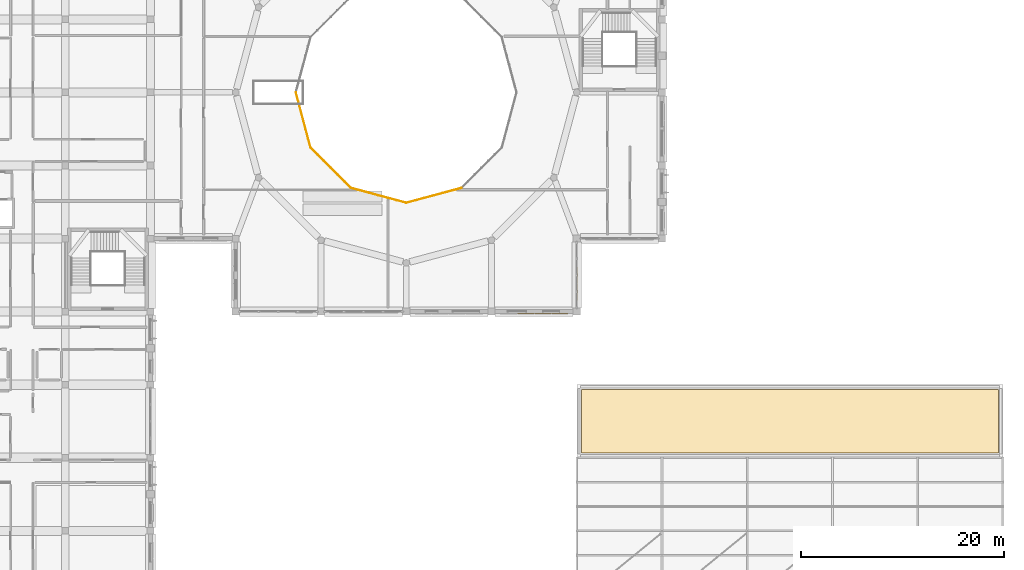
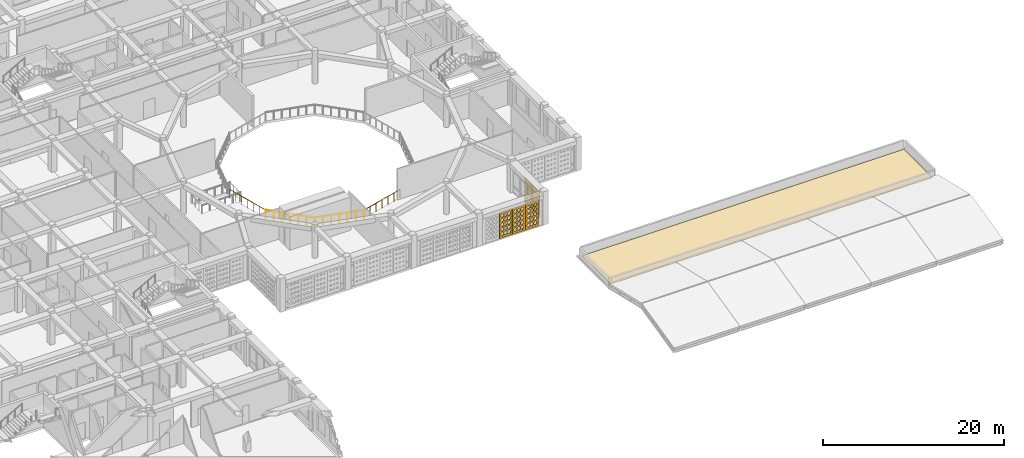
# One storey, part 65 of 79: 6 coverings, 4 railings.
"""IFC4 building model written with IfcOpenShell, lengths in metres."""

from ifc_helpers import new_model, si_unit, derived_unit, direction, frame, origin, origin_2d, place, context, subcontext, project, spatial, polyline, circle, outline, extrude, material, layer, layer_set, type_object, element, save


model = new_model("IFC4")

# Units and contexts
model_context = context("Model", 3, precision=1e-05, world=origin(), true_north=direction((0.0, 1.0)))
body_context = subcontext(model_context, "Body", "Model", "MODEL_VIEW")
ifc_project = project(units=[si_unit("LENGTHUNIT", "METRE"), si_unit("AREAUNIT", "SQUARE_METRE"), si_unit("VOLUMEUNIT", "CUBIC_METRE"), si_unit("PLANEANGLEUNIT", "RADIAN"), si_unit("MASSUNIT", "GRAM", prefix="KILO"), derived_unit("THERMALTRANSMITTANCEUNIT", [(si_unit("POWERUNIT", "WATT"), 1), (si_unit("LENGTHUNIT", "METRE"), -2), (si_unit("THERMODYNAMICTEMPERATUREUNIT", "KELVIN"), -1)])], contexts=[model_context])

# Site, building, storey
site_placement = place(None, origin())
site = spatial("IfcSite", under=ifc_project, at=site_placement, CompositionType="ELEMENT")
building_placement = place(site_placement, origin())
building = spatial("IfcBuilding", under=site, at=building_placement, Name="Veybourne Emporium", CompositionType="ELEMENT")
storey_placement = place(building_placement, frame((0.0, 0.0, 18.89990234375)))
storey = spatial("IfcBuildingStorey", under=building, at=storey_placement, Name="L04", CompositionType="ELEMENT", Elevation=18.89990234375)

# Railings
ifc_material_1 = material(Name="Patinated Architectural Bronze", Category="bronze")
railing_type = type_object("IfcRailingType", Name="Balustrade_BL-01", PredefinedType="BALUSTRADE", material=ifc_material_1)
railing_1_placement = place(storey_placement, frame((64.719970703125, 50.39990234375, 0.0)))
element("IfcRailing", 1, at=railing_1_placement, inside=storey, type_object=railing_type, Name="L04 central atrium void balustrade 07", PredefinedType="BALUSTRADE", context=body_context, shape_type="SweptSolid", body=[
    extrude(circle(Radius=0.02392578125, at=origin_2d()), frame((0.0, 0.0, 1.1259765625), z_axis=(0.258841536762, -0.965919799386, 0.0), x_axis=(0.965919799386, 0.258841536762, 0.0)), (0.0, 0.0, 1.0), 5.6318359375),
    extrude(circle(Radius=0.02099609375, at=origin_2d()), origin(), (0.0, 0.0, 1.0), 1.101806640625),
    extrude(circle(Radius=0.02099609375, at=origin_2d()), frame((0.242919921875, -0.90673828125, 0.0)), (0.0, 0.0, 1.0), 1.101806640625),
    extrude(circle(Radius=0.02099609375, at=origin_2d()), frame((0.48583984375, -1.813232421875, 0.0)), (0.0, 0.0, 1.0), 1.101806640625),
    extrude(circle(Radius=0.02099609375, at=origin_2d()), frame((0.72900390625, -2.719970703125, 0.0)), (0.0, 0.0, 1.0), 1.101806640625),
    extrude(circle(Radius=0.02099609375, at=origin_2d()), frame((0.971923828125, -3.626708984375, 0.0)), (0.0, 0.0, 1.0), 1.101806640625),
    extrude(circle(Radius=0.02099609375, at=origin_2d()), frame((1.21484375, -4.533203125, 0.0)), (0.0, 0.0, 1.0), 1.101806640625),
    extrude(circle(Radius=0.02099609375, at=origin_2d()), frame((1.457763671875, -5.43994140625, 0.0)), (0.0, 0.0, 1.0), 1.101806640625),
])
railing_2_placement = place(storey_placement, frame((66.177734375, 44.9599609375, 0.0)))
element("IfcRailing", 2, at=railing_2_placement, inside=storey, type_object=railing_type, Name="L04 central atrium void balustrade 08", PredefinedType="BALUSTRADE", context=body_context, shape_type="SweptSolid", body=[
    extrude(circle(Radius=0.02392578125, at=origin_2d()), frame((0.0, 0.0, 1.1259765625), z_axis=(0.707085105755, -0.707128455954, 0.0), x_axis=(0.707128455954, 0.707085105755, 0.0)), (0.0, 0.0, 1.0), 5.6318359375),
    extrude(circle(Radius=0.02099609375, at=origin_2d()), origin(), (0.0, 0.0, 1.0), 1.101806640625),
    extrude(circle(Radius=0.02099609375, at=origin_2d()), frame((0.66357421875, -0.663818359375, 0.0)), (0.0, 0.0, 1.0), 1.101806640625),
    extrude(circle(Radius=0.02099609375, at=origin_2d()), frame((1.327392578125, -1.327392578125, 0.0)), (0.0, 0.0, 1.0), 1.101806640625),
    extrude(circle(Radius=0.02099609375, at=origin_2d()), frame((1.9912109375, -1.9912109375, 0.0)), (0.0, 0.0, 1.0), 1.101806640625),
    extrude(circle(Radius=0.02099609375, at=origin_2d()), frame((2.65478515625, -2.655029296875, 0.0)), (0.0, 0.0, 1.0), 1.101806640625),
    extrude(circle(Radius=0.02099609375, at=origin_2d()), frame((3.318359375, -3.318603515625, 0.0)), (0.0, 0.0, 1.0), 1.101806640625),
    extrude(circle(Radius=0.02099609375, at=origin_2d()), frame((3.982177734375, -3.982421875, 0.0)), (0.0, 0.0, 1.0), 1.101806640625),
])
railing_3_placement = place(storey_placement, frame((70.159912109375, 40.9775390625, 0.0)))
element("IfcRailing", 3, at=railing_3_placement, inside=storey, type_object=railing_type, Name="L04 central atrium void balustrade 09", PredefinedType="BALUSTRADE", context=body_context, shape_type="SweptSolid", body=[
    extrude(circle(Radius=0.02392578125, at=origin_2d()), frame((0.0, 0.0, 1.1259765625), z_axis=(0.965933540312, -0.25879025426, 0.0), x_axis=(0.25879025426, 0.965933540312, 0.0)), (0.0, 0.0, 1.0), 5.632080078125),
    extrude(circle(Radius=0.02099609375, at=origin_2d()), origin(), (0.0, 0.0, 1.0), 1.101806640625),
    extrude(circle(Radius=0.02099609375, at=origin_2d()), frame((0.90673828125, -0.242919921875, 0.0)), (0.0, 0.0, 1.0), 1.101806640625),
    extrude(circle(Radius=0.02099609375, at=origin_2d()), frame((1.8134765625, -0.48583984375, 0.0)), (0.0, 0.0, 1.0), 1.101806640625),
    extrude(circle(Radius=0.02099609375, at=origin_2d()), frame((2.72021484375, -0.728759765625, 0.0)), (0.0, 0.0, 1.0), 1.101806640625),
    extrude(circle(Radius=0.02099609375, at=origin_2d()), frame((3.626708984375, -0.9716796875, 0.0)), (0.0, 0.0, 1.0), 1.101806640625),
    extrude(circle(Radius=0.02099609375, at=origin_2d()), frame((4.533447265625, -1.214599609375, 0.0)), (0.0, 0.0, 1.0), 1.101806640625),
    extrude(circle(Radius=0.02099609375, at=origin_2d()), frame((5.440185546875, -1.45751953125, 0.0)), (0.0, 0.0, 1.0), 1.101806640625),
])
railing_4_placement = place(storey_placement, frame((75.60009765625, 39.52001953125, 0.0)))
element("IfcRailing", 4, at=railing_4_placement, inside=storey, type_object=railing_type, Name="L04 central atrium void balustrade 10", PredefinedType="BALUSTRADE", context=body_context, shape_type="SweptSolid", body=[
    extrude(circle(Radius=0.02392578125, at=origin_2d()), frame((0.0, 0.0, 1.1259765625), z_axis=(0.96593063698, 0.258801090691, 0.0), x_axis=(-0.258801090691, 0.96593063698, 0.0)), (0.0, 0.0, 1.0), 5.6318359375),
    extrude(circle(Radius=0.02099609375, at=origin_2d()), origin(), (0.0, 0.0, 1.0), 1.101806640625),
    extrude(circle(Radius=0.02099609375, at=origin_2d()), frame((0.90673828125, 0.242919921875, 0.0)), (0.0, 0.0, 1.0), 1.101806640625),
    extrude(circle(Radius=0.02099609375, at=origin_2d()), frame((1.813232421875, 0.48583984375, 0.0)), (0.0, 0.0, 1.0), 1.101806640625),
    extrude(circle(Radius=0.02099609375, at=origin_2d()), frame((2.719970703125, 0.728759765625, 0.0)), (0.0, 0.0, 1.0), 1.101806640625),
    extrude(circle(Radius=0.02099609375, at=origin_2d()), frame((3.626708984375, 0.9716796875, 0.0)), (0.0, 0.0, 1.0), 1.101806640625),
    extrude(circle(Radius=0.02099609375, at=origin_2d()), frame((4.533203125, 1.214599609375, 0.0)), (0.0, 0.0, 1.0), 1.101806640625),
    extrude(circle(Radius=0.02099609375, at=origin_2d()), frame((5.43994140625, 1.45751953125, 0.0)), (0.0, 0.0, 1.0), 1.101806640625),
])

# Coverings
ifc_material_2 = material(Name="Single-Ply Warm Roof Membrane", Category="membrane")
ifc_layer_1 = layer(ifc_material_2, 0.06005859375)
ifc_layer_set_1 = layer_set([ifc_layer_1], Name="Single-Ply Warm Roof Membrane")
covering_type_1 = type_object("IfcCoveringType", Name="Roofing_RFG-01", PredefinedType="ROOFING", material=ifc_layer_set_1)
covering_1_placement = place(storey_placement, origin())
element("IfcCovering", 5, at=covering_1_placement, inside=storey, type_object=covering_type_1, Name="L04 warm-roof waterproofing membrane 1.1", PredefinedType="ROOFING", context=body_context, shape_type="SweptSolid", body=[
    extrude(outline(polyline([(133.949951171875, 21.14990234375), (133.949951171875, 14.85009765625), (92.85009765625, 14.85009765625), (92.85009765625, 21.14990234375), (133.949951171875, 21.14990234375)])), origin(), (0.0, 0.0, 1.0), 0.06005859375),
])
ifc_material_3 = material(Name="Warm-White Perforated Aluminium Screen Alloy", Category="aluminium")
ifc_layer_2 = layer(ifc_material_3, 0.06005859375)
ifc_layer_set_2 = layer_set([ifc_layer_2], Name="Warm-White Perforated Aluminium Screen Alloy")
covering_type_2 = type_object("IfcCoveringType", Name="WaveScreen_SCR-01", PredefinedType="CLADDING", material=ifc_layer_set_2)
covering_2_placement = place(storey_placement, frame((87.360107421875, 28.552001953125, 1.815185546875), z_axis=(0.0, 1.0, 0.0), x_axis=(-1.0, 0.0, 0.0)))
element("IfcCovering", 6, at=covering_2_placement, inside=storey, type_object=covering_type_2, Name="L04 wave-perforated aluminium screen SCR-01 (41.3)", PredefinedType="CLADDING", context=body_context, shape_type="SweptSolid", body=[
    extrude(outline(polyline([(-0.81982421875, -1.7548828125), (0.81982421875, -1.7548828125), (0.81982421875, 1.7548828125), (-0.81982421875, 1.7548828125), (-0.81982421875, -1.7548828125)]), holes=[polyline([(-0.433349609375, -0.964111328125), (-0.2470703125, -1.133056640625), (-0.2470703125, -1.322998046875), (-0.433349609375, -1.491943359375), (-0.61962890625, -1.322998046875), (-0.61962890625, -1.133056640625), (-0.433349609375, -0.964111328125)]), polyline([(-0.433349609375, -0.35009765625), (-0.2470703125, -0.51904296875), (-0.2470703125, -0.708984375), (-0.433349609375, -0.8779296875), (-0.61962890625, -0.708984375), (-0.61962890625, -0.51904296875), (-0.433349609375, -0.35009765625)]), polyline([(-0.433349609375, 0.263916015625), (-0.2470703125, 0.094970703125), (-0.2470703125, -0.094970703125), (-0.433349609375, -0.263916015625), (-0.61962890625, -0.094970703125), (-0.61962890625, 0.094970703125), (-0.433349609375, 0.263916015625)]), polyline([(-0.433349609375, 0.8779296875), (-0.2470703125, 0.708984375), (-0.2470703125, 0.51904296875), (-0.433349609375, 0.35009765625), (-0.61962890625, 0.51904296875), (-0.61962890625, 0.708984375), (-0.433349609375, 0.8779296875)]), polyline([(-0.433349609375, 1.491943359375), (-0.2470703125, 1.322998046875), (-0.2470703125, 1.133056640625), (-0.433349609375, 0.964111328125), (-0.61962890625, 1.133056640625), (-0.61962890625, 1.322998046875), (-0.433349609375, 1.491943359375)]), polyline([(0.0, -0.964111328125), (0.186279296875, -1.133056640625), (0.186279296875, -1.322998046875), (0.0, -1.491943359375), (-0.186279296875, -1.322998046875), (-0.186279296875, -1.133056640625), (0.0, -0.964111328125)]), polyline([(0.0, -0.35009765625), (0.186279296875, -0.51904296875), (0.186279296875, -0.708984375), (0.0, -0.8779296875), (-0.186279296875, -0.708984375), (-0.186279296875, -0.51904296875), (0.0, -0.35009765625)]), polyline([(0.0, 0.263916015625), (0.186279296875, 0.094970703125), (0.186279296875, -0.094970703125), (0.0, -0.263916015625), (-0.186279296875, -0.094970703125), (-0.186279296875, 0.094970703125), (0.0, 0.263916015625)]), polyline([(0.0, 0.8779296875), (0.186279296875, 0.708984375), (0.186279296875, 0.51904296875), (0.0, 0.35009765625), (-0.186279296875, 0.51904296875), (-0.186279296875, 0.708984375), (0.0, 0.8779296875)]), polyline([(0.0, 1.491943359375), (0.186279296875, 1.322998046875), (0.186279296875, 1.133056640625), (0.0, 0.964111328125), (-0.186279296875, 1.133056640625), (-0.186279296875, 1.322998046875), (0.0, 1.491943359375)]), polyline([(0.433349609375, -0.964111328125), (0.61962890625, -1.133056640625), (0.61962890625, -1.322998046875), (0.433349609375, -1.491943359375), (0.2470703125, -1.322998046875), (0.2470703125, -1.133056640625), (0.433349609375, -0.964111328125)]), polyline([(0.433349609375, -0.35009765625), (0.61962890625, -0.51904296875), (0.61962890625, -0.708984375), (0.433349609375, -0.8779296875), (0.2470703125, -0.708984375), (0.2470703125, -0.51904296875), (0.433349609375, -0.35009765625)]), polyline([(0.433349609375, 0.263916015625), (0.61962890625, 0.094970703125), (0.61962890625, -0.094970703125), (0.433349609375, -0.263916015625), (0.2470703125, -0.094970703125), (0.2470703125, 0.094970703125), (0.433349609375, 0.263916015625)]), polyline([(0.433349609375, 0.8779296875), (0.61962890625, 0.708984375), (0.61962890625, 0.51904296875), (0.433349609375, 0.35009765625), (0.2470703125, 0.51904296875), (0.2470703125, 0.708984375), (0.433349609375, 0.8779296875)]), polyline([(0.433349609375, 1.491943359375), (0.61962890625, 1.322998046875), (0.61962890625, 1.133056640625), (0.433349609375, 0.964111328125), (0.2470703125, 1.133056640625), (0.2470703125, 1.322998046875), (0.433349609375, 1.491943359375)])]), origin(), (0.0, 0.0, 1.0), 0.06005859375),
])
covering_3_placement = place(storey_placement, frame((92.494140625, 32.39990234375, 1.815185546875), z_axis=(-1.0, 0.0, 0.0), x_axis=(0.0, -1.0, 0.0)))
element("IfcCovering", 7, at=covering_3_placement, inside=storey, type_object=covering_type_2, Name="L04 wave-perforated aluminium screen SCR-01 (42C.2)", PredefinedType="CLADDING", context=body_context, shape_type="SweptSolid", body=[
    extrude(outline(polyline([(-0.81982421875, -1.7548828125), (0.81982421875, -1.7548828125), (0.81982421875, 1.7548828125), (-0.81982421875, 1.7548828125), (-0.81982421875, -1.7548828125)]), holes=[polyline([(-0.433349609375, -1.013916015625), (-0.248291015625, -1.15087890625), (-0.248291015625, -1.30517578125), (-0.433349609375, -1.442138671875), (-0.618408203125, -1.30517578125), (-0.618408203125, -1.15087890625), (-0.433349609375, -1.013916015625)]), polyline([(-0.433349609375, -0.413818359375), (-0.259521484375, -0.5419921875), (-0.259521484375, -0.68603515625), (-0.433349609375, -0.814208984375), (-0.607177734375, -0.68603515625), (-0.607177734375, -0.5419921875), (-0.433349609375, -0.413818359375)]), polyline([(-0.433349609375, 0.18603515625), (-0.271240234375, 0.06689453125), (-0.271240234375, -0.06689453125), (-0.433349609375, -0.18603515625), (-0.595458984375, -0.06689453125), (-0.595458984375, 0.06689453125), (-0.433349609375, 0.18603515625)]), polyline([(-0.433349609375, 0.785888671875), (-0.28271484375, 0.67578125), (-0.28271484375, 0.552001953125), (-0.433349609375, 0.44189453125), (-0.583984375, 0.552001953125), (-0.583984375, 0.67578125), (-0.433349609375, 0.785888671875)]), polyline([(-0.433349609375, 1.38671875), (-0.293701171875, 1.28515625), (-0.293701171875, 1.1708984375), (-0.433349609375, 1.0693359375), (-0.572998046875, 1.1708984375), (-0.572998046875, 1.28515625), (-0.433349609375, 1.38671875)]), polyline([(0.0, -1.0078125), (0.186279296875, -1.148681640625), (0.186279296875, -1.307373046875), (0.0, -1.4482421875), (-0.186279296875, -1.307373046875), (-0.186279296875, -1.148681640625), (0.0, -1.0078125)]), polyline([(0.0, -0.407470703125), (0.178955078125, -0.539794921875), (0.178955078125, -0.688232421875), (0.0, -0.820556640625), (-0.178955078125, -0.688232421875), (-0.178955078125, -0.539794921875), (0.0, -0.407470703125)]), polyline([(0.0, 0.1923828125), (0.16748046875, 0.0693359375), (0.16748046875, -0.0693359375), (0.0, -0.1923828125), (-0.16748046875, -0.0693359375), (-0.16748046875, 0.0693359375), (0.0, 0.1923828125)]), polyline([(0.0, 0.792236328125), (0.156005859375, 0.67822265625), (0.156005859375, 0.5498046875), (0.0, 0.435791015625), (-0.156005859375, 0.5498046875), (-0.156005859375, 0.67822265625), (0.0, 0.792236328125)]), polyline([(0.0, 1.392578125), (0.144775390625, 1.287109375), (0.144775390625, 1.168701171875), (0.0, 1.0634765625), (-0.144775390625, 1.168701171875), (-0.144775390625, 1.287109375), (0.0, 1.392578125)]), polyline([(0.433349609375, -1.001708984375), (0.61962890625, -1.146484375), (0.61962890625, -1.309326171875), (0.433349609375, -1.4541015625), (0.2470703125, -1.309326171875), (0.2470703125, -1.146484375), (0.433349609375, -1.001708984375)]), polyline([(0.433349609375, -0.401123046875), (0.617431640625, -0.537353515625), (0.617431640625, -0.690673828125), (0.433349609375, -0.826904296875), (0.249267578125, -0.690673828125), (0.249267578125, -0.537353515625), (0.433349609375, -0.401123046875)]), polyline([(0.433349609375, 0.19873046875), (0.60595703125, 0.071533203125), (0.60595703125, -0.071533203125), (0.433349609375, -0.19873046875), (0.2607421875, -0.071533203125), (0.2607421875, 0.071533203125), (0.433349609375, 0.19873046875)]), polyline([(0.433349609375, 0.798583984375), (0.594482421875, 0.680419921875), (0.594482421875, 0.547607421875), (0.433349609375, 0.429443359375), (0.272216796875, 0.547607421875), (0.272216796875, 0.680419921875), (0.433349609375, 0.798583984375)]), polyline([(0.433349609375, 1.398681640625), (0.5830078125, 1.28955078125), (0.5830078125, 1.16650390625), (0.433349609375, 1.057373046875), (0.28369140625, 1.16650390625), (0.28369140625, 1.28955078125), (0.433349609375, 1.398681640625)])]), origin(), (0.0, 0.0, 1.0), 0.06005859375),
])
ifc_layer_3 = layer(ifc_material_3, 0.06005859375)
ifc_layer_set_3 = layer_set([ifc_layer_3], Name="Warm-White Perforated Aluminium Screen Alloy")
covering_type_3 = type_object("IfcCoveringType", Name="WaveScreen_SCR-02", PredefinedType="CLADDING", material=ifc_layer_set_3)
covering_4_placement = place(storey_placement, frame((92.494140625, 30.719970703125, 1.815185546875), z_axis=(-1.0, 0.0, 0.0), x_axis=(0.0, -1.0, 0.0)))
element("IfcCovering", 8, at=covering_4_placement, inside=storey, type_object=covering_type_3, Name="L04 wave-perforated aluminium screen SCR-02 (42C.3)", PredefinedType="CLADDING", context=body_context, shape_type="SweptSolid", body=[
    extrude(outline(polyline([(-0.81982421875, -1.7548828125), (0.81982421875, -1.7548828125), (0.81982421875, 1.7548828125), (-0.81982421875, 1.7548828125), (-0.81982421875, -1.7548828125)]), holes=[polyline([(-0.433349609375, -0.9912109375), (-0.2470703125, -1.142822265625), (-0.2470703125, -1.313232421875), (-0.433349609375, -1.46484375), (-0.61962890625, -1.313232421875), (-0.61962890625, -1.142822265625), (-0.433349609375, -0.9912109375)]), polyline([(-0.433349609375, -0.389892578125), (-0.2470703125, -0.533203125), (-0.2470703125, -0.694580078125), (-0.433349609375, -0.838134765625), (-0.61962890625, -0.694580078125), (-0.61962890625, -0.533203125), (-0.433349609375, -0.389892578125)]), polyline([(-0.433349609375, 0.210693359375), (-0.2509765625, 0.075927734375), (-0.2509765625, -0.075927734375), (-0.433349609375, -0.210693359375), (-0.61572265625, -0.075927734375), (-0.61572265625, 0.075927734375), (-0.433349609375, 0.210693359375)]), polyline([(-0.433349609375, 0.810791015625), (-0.262451171875, 0.684814453125), (-0.262451171875, 0.543212890625), (-0.433349609375, 0.417236328125), (-0.604248046875, 0.543212890625), (-0.604248046875, 0.684814453125), (-0.433349609375, 0.810791015625)]), polyline([(-0.433349609375, 1.41064453125), (-0.27392578125, 1.293701171875), (-0.27392578125, 1.162353515625), (-0.433349609375, 1.04541015625), (-0.5927734375, 1.162353515625), (-0.5927734375, 1.293701171875), (-0.433349609375, 1.41064453125)]), polyline([(0.0, -0.98583984375), (0.186279296875, -1.140869140625), (0.186279296875, -1.315185546875), (0.0, -1.47021484375), (-0.186279296875, -1.315185546875), (-0.186279296875, -1.140869140625), (0.0, -0.98583984375)]), polyline([(0.0, -0.3837890625), (0.186279296875, -0.53125), (0.186279296875, -0.69677734375), (0.0, -0.843994140625), (-0.186279296875, -0.69677734375), (-0.186279296875, -0.53125), (0.0, -0.3837890625)]), polyline([(0.0, 0.217041015625), (0.186279296875, 0.078125), (0.186279296875, -0.078125), (0.0, -0.217041015625), (-0.186279296875, -0.078125), (-0.186279296875, 0.078125), (0.0, 0.217041015625)]), polyline([(0.0, 0.817138671875), (0.17626953125, 0.68701171875), (0.17626953125, 0.541015625), (0.0, 0.410888671875), (-0.17626953125, 0.541015625), (-0.17626953125, 0.68701171875), (0.0, 0.817138671875)]), polyline([(0.0, 1.4169921875), (0.16455078125, 1.2958984375), (0.16455078125, 1.159912109375), (0.0, 1.0390625), (-0.16455078125, 1.159912109375), (-0.16455078125, 1.2958984375), (0.0, 1.4169921875)]), polyline([(0.433349609375, -0.98095703125), (0.61962890625, -1.13916015625), (0.61962890625, -1.31689453125), (0.433349609375, -1.47509765625), (0.2470703125, -1.31689453125), (0.2470703125, -1.13916015625), (0.433349609375, -0.98095703125)]), polyline([(0.433349609375, -0.37841796875), (0.61962890625, -0.529296875), (0.61962890625, -0.69873046875), (0.433349609375, -0.849609375), (0.2470703125, -0.69873046875), (0.2470703125, -0.529296875), (0.433349609375, -0.37841796875)]), polyline([(0.433349609375, 0.222900390625), (0.61962890625, 0.080322265625), (0.61962890625, -0.080322265625), (0.433349609375, -0.222900390625), (0.2470703125, -0.080322265625), (0.2470703125, 0.080322265625), (0.433349609375, 0.222900390625)]), polyline([(0.433349609375, 0.823486328125), (0.61474609375, 0.689453125), (0.61474609375, 0.53857421875), (0.433349609375, 0.404541015625), (0.251953125, 0.53857421875), (0.251953125, 0.689453125), (0.433349609375, 0.823486328125)]), polyline([(0.433349609375, 1.42333984375), (0.603271484375, 1.29833984375), (0.603271484375, 1.15771484375), (0.433349609375, 1.03271484375), (0.263427734375, 1.15771484375), (0.263427734375, 1.29833984375), (0.433349609375, 1.42333984375)])]), origin(), (0.0, 0.0, 1.0), 0.06005859375),
])
ifc_layer_4 = layer(ifc_material_3, 0.06005859375)
ifc_layer_set_4 = layer_set([ifc_layer_4], Name="Warm-White Perforated Aluminium Screen Alloy")
covering_type_4 = type_object("IfcCoveringType", Name="WaveScreen_SCR-03", PredefinedType="CLADDING", material=ifc_layer_set_4)
covering_5_placement = place(storey_placement, frame((90.719970703125, 28.552001953125, 1.815185546875), z_axis=(0.0, 1.0, 0.0), x_axis=(-1.0, 0.0, 0.0)))
element("IfcCovering", 9, at=covering_5_placement, inside=storey, type_object=covering_type_4, Name="L04 wave-perforated aluminium screen SCR-03 (41.1)", PredefinedType="CLADDING", context=body_context, shape_type="SweptSolid", body=[
    extrude(outline(polyline([(-0.81982421875, -1.7548828125), (0.81982421875, -1.7548828125), (0.81982421875, 1.7548828125), (-0.81982421875, 1.7548828125), (-0.81982421875, -1.7548828125)]), holes=[polyline([(-0.433349609375, -0.964111328125), (-0.2470703125, -1.133056640625), (-0.2470703125, -1.322998046875), (-0.433349609375, -1.491943359375), (-0.61962890625, -1.322998046875), (-0.61962890625, -1.133056640625), (-0.433349609375, -0.964111328125)]), polyline([(-0.433349609375, -0.35009765625), (-0.2470703125, -0.51904296875), (-0.2470703125, -0.708984375), (-0.433349609375, -0.8779296875), (-0.61962890625, -0.708984375), (-0.61962890625, -0.51904296875), (-0.433349609375, -0.35009765625)]), polyline([(-0.433349609375, 0.25830078125), (-0.2470703125, 0.093017578125), (-0.2470703125, -0.093017578125), (-0.433349609375, -0.25830078125), (-0.61962890625, -0.093017578125), (-0.61962890625, 0.093017578125), (-0.433349609375, 0.25830078125)]), polyline([(-0.433349609375, 0.86279296875), (-0.2470703125, 0.70361328125), (-0.2470703125, 0.5244140625), (-0.433349609375, 0.365234375), (-0.61962890625, 0.5244140625), (-0.61962890625, 0.70361328125), (-0.433349609375, 0.86279296875)]), polyline([(-0.433349609375, 1.465576171875), (-0.2470703125, 1.3134765625), (-0.2470703125, 1.142578125), (-0.433349609375, 0.990478515625), (-0.61962890625, 1.142578125), (-0.61962890625, 1.3134765625), (-0.433349609375, 1.465576171875)]), polyline([(0.0, -0.964111328125), (0.186279296875, -1.133056640625), (0.186279296875, -1.322998046875), (0.0, -1.491943359375), (-0.186279296875, -1.322998046875), (-0.186279296875, -1.133056640625), (0.0, -0.964111328125)]), polyline([(0.0, -0.35009765625), (0.186279296875, -0.51904296875), (0.186279296875, -0.708984375), (0.0, -0.8779296875), (-0.186279296875, -0.708984375), (-0.186279296875, -0.51904296875), (0.0, -0.35009765625)]), polyline([(0.0, 0.261962890625), (0.186279296875, 0.09423828125), (0.186279296875, -0.09423828125), (0.0, -0.261962890625), (-0.186279296875, -0.09423828125), (-0.186279296875, 0.09423828125), (0.0, 0.261962890625)]), polyline([(0.0, 0.8671875), (0.186279296875, 0.705078125), (0.186279296875, 0.522705078125), (0.0, 0.360595703125), (-0.186279296875, 0.522705078125), (-0.186279296875, 0.705078125), (0.0, 0.8671875)]), polyline([(0.0, 1.470703125), (0.186279296875, 1.3154296875), (0.186279296875, 1.140625), (0.0, 0.985107421875), (-0.186279296875, 1.140625), (-0.186279296875, 1.3154296875), (0.0, 1.470703125)]), polyline([(0.433349609375, -0.964111328125), (0.61962890625, -1.133056640625), (0.61962890625, -1.322998046875), (0.433349609375, -1.491943359375), (0.2470703125, -1.322998046875), (0.2470703125, -1.133056640625), (0.433349609375, -0.964111328125)]), polyline([(0.433349609375, -0.35009765625), (0.61962890625, -0.51904296875), (0.61962890625, -0.708984375), (0.433349609375, -0.8779296875), (0.2470703125, -0.708984375), (0.2470703125, -0.51904296875), (0.433349609375, -0.35009765625)]), polyline([(0.433349609375, 0.263916015625), (0.61962890625, 0.094970703125), (0.61962890625, -0.094970703125), (0.433349609375, -0.263916015625), (0.2470703125, -0.094970703125), (0.2470703125, 0.094970703125), (0.433349609375, 0.263916015625)]), polyline([(0.433349609375, 0.871337890625), (0.61962890625, 0.706787109375), (0.61962890625, 0.521240234375), (0.433349609375, 0.356689453125), (0.2470703125, 0.521240234375), (0.2470703125, 0.706787109375), (0.433349609375, 0.871337890625)]), polyline([(0.433349609375, 1.475830078125), (0.61962890625, 1.317138671875), (0.61962890625, 1.138916015625), (0.433349609375, 0.980224609375), (0.2470703125, 1.138916015625), (0.2470703125, 1.317138671875), (0.433349609375, 1.475830078125)])]), origin(), (0.0, 0.0, 1.0), 0.06005859375),
])
ifc_layer_5 = layer(ifc_material_3, 0.06005859375)
ifc_layer_set_5 = layer_set([ifc_layer_5], Name="Warm-White Perforated Aluminium Screen Alloy")
covering_type_5 = type_object("IfcCoveringType", Name="WaveScreen_SCR-04", PredefinedType="CLADDING", material=ifc_layer_set_5)
covering_6_placement = place(storey_placement, frame((89.0400390625, 28.552001953125, 1.815185546875), z_axis=(0.0, 1.0, 0.0), x_axis=(-1.0, 0.0, 0.0)))
element("IfcCovering", 10, at=covering_6_placement, inside=storey, type_object=covering_type_5, Name="L04 wave-perforated aluminium screen SCR-04 (41.2)", PredefinedType="CLADDING", context=body_context, shape_type="SweptSolid", body=[
    extrude(outline(polyline([(-0.81982421875, -1.7548828125), (0.81982421875, -1.7548828125), (0.81982421875, 1.7548828125), (-0.81982421875, 1.7548828125), (-0.81982421875, -1.7548828125)]), holes=[polyline([(-0.433349609375, -0.964111328125), (-0.2470703125, -1.133056640625), (-0.2470703125, -1.322998046875), (-0.433349609375, -1.491943359375), (-0.61962890625, -1.322998046875), (-0.61962890625, -1.133056640625), (-0.433349609375, -0.964111328125)]), polyline([(-0.433349609375, -0.35009765625), (-0.2470703125, -0.51904296875), (-0.2470703125, -0.708984375), (-0.433349609375, -0.8779296875), (-0.61962890625, -0.708984375), (-0.61962890625, -0.51904296875), (-0.433349609375, -0.35009765625)]), polyline([(-0.433349609375, 0.263916015625), (-0.2470703125, 0.094970703125), (-0.2470703125, -0.094970703125), (-0.433349609375, -0.263916015625), (-0.61962890625, -0.094970703125), (-0.61962890625, 0.094970703125), (-0.433349609375, 0.263916015625)]), polyline([(-0.433349609375, 0.8779296875), (-0.2470703125, 0.708984375), (-0.2470703125, 0.51904296875), (-0.433349609375, 0.35009765625), (-0.61962890625, 0.51904296875), (-0.61962890625, 0.708984375), (-0.433349609375, 0.8779296875)]), polyline([(-0.433349609375, 1.484130859375), (-0.2470703125, 1.3203125), (-0.2470703125, 1.1357421875), (-0.433349609375, 0.971923828125), (-0.61962890625, 1.1357421875), (-0.61962890625, 1.3203125), (-0.433349609375, 1.484130859375)]), polyline([(0.0, -0.964111328125), (0.186279296875, -1.133056640625), (0.186279296875, -1.322998046875), (0.0, -1.491943359375), (-0.186279296875, -1.322998046875), (-0.186279296875, -1.133056640625), (0.0, -0.964111328125)]), polyline([(0.0, -0.35009765625), (0.186279296875, -0.51904296875), (0.186279296875, -0.708984375), (0.0, -0.8779296875), (-0.186279296875, -0.708984375), (-0.186279296875, -0.51904296875), (0.0, -0.35009765625)]), polyline([(0.0, 0.263916015625), (0.186279296875, 0.094970703125), (0.186279296875, -0.094970703125), (0.0, -0.263916015625), (-0.186279296875, -0.094970703125), (-0.186279296875, 0.094970703125), (0.0, 0.263916015625)]), polyline([(0.0, 0.8779296875), (0.186279296875, 0.708984375), (0.186279296875, 0.51904296875), (0.0, 0.35009765625), (-0.186279296875, 0.51904296875), (-0.186279296875, 0.708984375), (0.0, 0.8779296875)]), polyline([(0.0, 1.488037109375), (0.186279296875, 1.321533203125), (0.186279296875, 1.134521484375), (0.0, 0.968017578125), (-0.186279296875, 1.134521484375), (-0.186279296875, 1.321533203125), (0.0, 1.488037109375)]), polyline([(0.433349609375, -0.964111328125), (0.61962890625, -1.133056640625), (0.61962890625, -1.322998046875), (0.433349609375, -1.491943359375), (0.2470703125, -1.322998046875), (0.2470703125, -1.133056640625), (0.433349609375, -0.964111328125)]), polyline([(0.433349609375, -0.35009765625), (0.61962890625, -0.51904296875), (0.61962890625, -0.708984375), (0.433349609375, -0.8779296875), (0.2470703125, -0.708984375), (0.2470703125, -0.51904296875), (0.433349609375, -0.35009765625)]), polyline([(0.433349609375, 0.263916015625), (0.61962890625, 0.094970703125), (0.61962890625, -0.094970703125), (0.433349609375, -0.263916015625), (0.2470703125, -0.094970703125), (0.2470703125, 0.094970703125), (0.433349609375, 0.263916015625)]), polyline([(0.433349609375, 0.8779296875), (0.61962890625, 0.708984375), (0.61962890625, 0.51904296875), (0.433349609375, 0.35009765625), (0.2470703125, 0.51904296875), (0.2470703125, 0.708984375), (0.433349609375, 0.8779296875)]), polyline([(0.433349609375, 1.491455078125), (0.61962890625, 1.322998046875), (0.61962890625, 1.133056640625), (0.433349609375, 0.964599609375), (0.2470703125, 1.133056640625), (0.2470703125, 1.322998046875), (0.433349609375, 1.491455078125)])]), origin(), (0.0, 0.0, 1.0), 0.06005859375),
])

save(model, "model.ifc")
